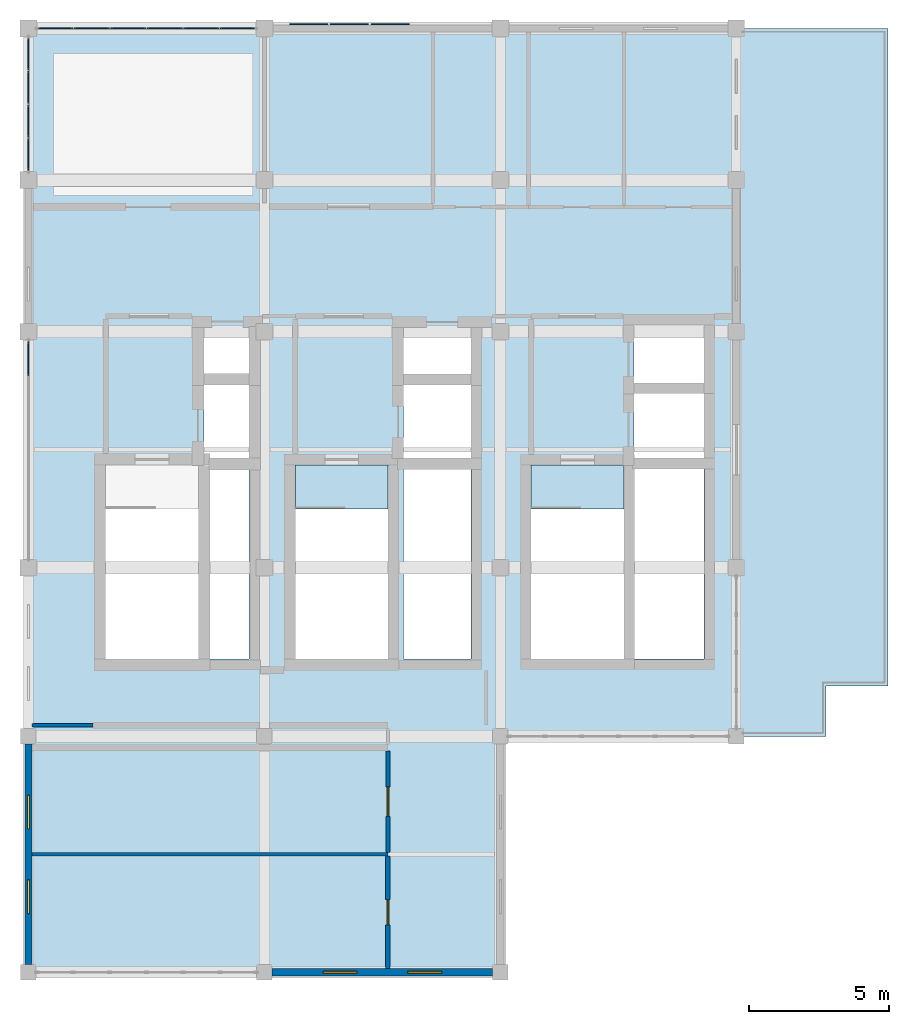
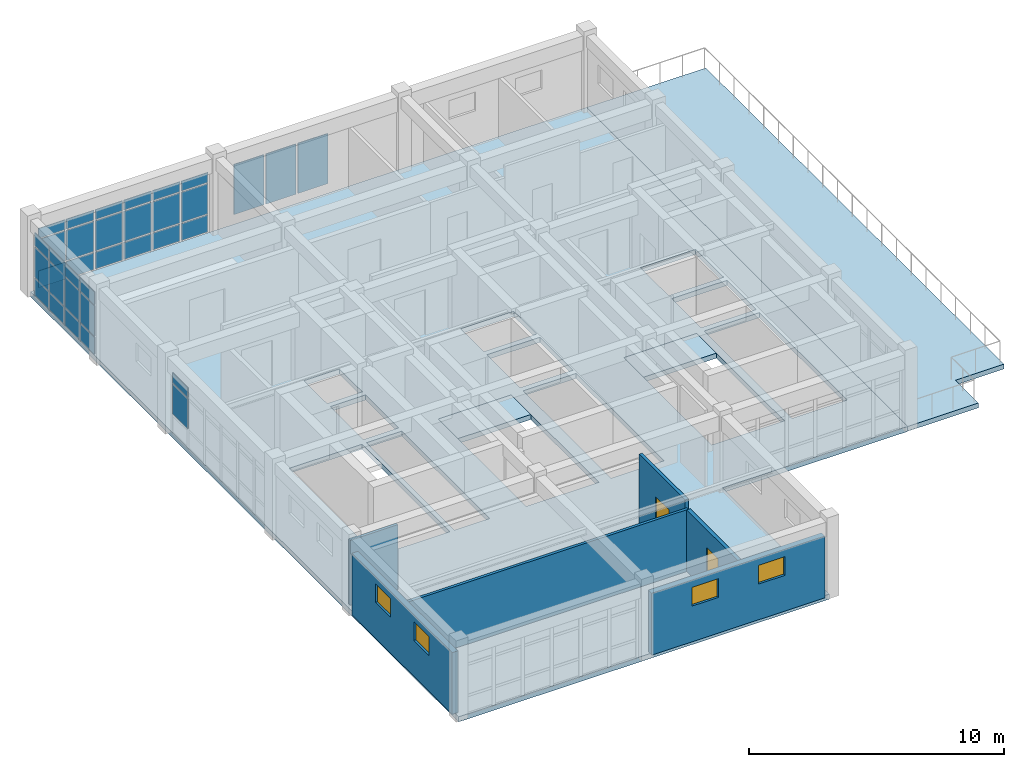
# One storey, part 13 of 17: 35 plates, 6 walls, 4 slabs, 4 windows, 2 doors, 6 openings, 3 elements without a shape of their own.
"""IFC4 building model written with IfcOpenShell, lengths in metres."""

import ifcopenshell
import ifcopenshell.guid

model = None  # the IFC model being written
_history = None  # IfcOwnerHistory: only IFC2X3 demands one
_inside = {}  # id of a spatial element -> (the spatial element, [elements in it])
_under = {}  # id of a project, library or spatial element -> (it, [spatial elements below it])
_declared = {}  # id of a project -> (the project, [libraries it declares])
_typed = {}  # id of a type object -> (the type object, [elements of that type])
_made_of = {}  # id of a material, layer set ... -> (it, [elements and type objects made of it])


def new_model(schema):
    """Start an empty IFC model of exactly this schema.

    Asked for "IFC4X3", IfcOpenShell would pick the latest addendum, in which some entities
    have other attributes; the version numbers below select the first issue.
    IFC2X3 requires an IfcOwnerHistory on every rooted entity: one is made here for all.
    """
    global model, _history
    if schema == "IFC4X3":
        model = ifcopenshell.file(schema_version=(4, 3, 0, 0))
    else:
        model = ifcopenshell.file(schema=schema)
    _inside.clear()
    _under.clear()
    _declared.clear()
    _typed.clear()
    _made_of.clear()
    _history = None
    if model.schema == "IFC2X3":
        org = make("IfcOrganization", Name="unknown")
        user = make(
            "IfcPersonAndOrganization",
            ThePerson=make("IfcPerson", FamilyName="unknown"),
            TheOrganization=org,
        )
        app = make(
            "IfcApplication",
            ApplicationDeveloper=org,
            Version="unknown",
            ApplicationFullName="unknown",
            ApplicationIdentifier="unknown",
        )
        _history = make(
            "IfcOwnerHistory",
            OwningUser=user,
            OwningApplication=app,
            ChangeAction="ADDED",
            CreationDate=0,
        )
    return model


def make(cls, **values):
    """One entity of the class cls with the attributes given. An attribute that is None is left unset."""
    return model.create_entity(
        cls, **{name: value for name, value in values.items() if value is not None}
    )


def rooted(cls, **values):
    """An entity with a GlobalId (a new one), such as an element, a storey or a relation."""
    return make(cls, GlobalId=ifcopenshell.guid.new(), OwnerHistory=_history, **values)


def si_unit(unit_type, name, prefix=None):
    """IfcSIUnit, for example si_unit("LENGTHUNIT", "METRE", prefix="MILLI")."""
    return make("IfcSIUnit", UnitType=unit_type, Prefix=prefix, Name=name)


def assignment(units):
    """IfcUnitAssignment: the units of a project."""
    return None if units is None else make("IfcUnitAssignment", Units=units)


def point(xyz):
    """IfcCartesianPoint."""
    return None if xyz is None else make("IfcCartesianPoint", Coordinates=xyz)


def direction(xyz):
    """IfcDirection."""
    return None if xyz is None else make("IfcDirection", DirectionRatios=xyz)


def frame(location, z_axis=None, x_axis=None):
    """IfcAxis2Placement3D, a coordinate frame: its origin and axes. An axis left out is left unset."""
    return make(
        "IfcAxis2Placement3D",
        Location=point(location),
        Axis=direction(z_axis),
        RefDirection=direction(x_axis),
    )


def frame_2d(location, x_axis=None):
    """IfcAxis2Placement2D, a coordinate frame in the plane: its origin and x axis."""
    return make(
        "IfcAxis2Placement2D", Location=point(location), RefDirection=direction(x_axis)
    )


def origin():
    """The frame at (0, 0, 0) with its axes left unset."""
    return frame((0.0, 0.0, 0.0))


def origin_2d():
    """The frame at (0, 0) in the plane with its x axis left unset."""
    return frame_2d((0.0, 0.0))


def place(relative_to, where):
    """IfcLocalPlacement: puts the frame where relative to a parent placement (None: the world)."""
    return make(
        "IfcLocalPlacement", PlacementRelTo=relative_to, RelativePlacement=where
    )


def context(
    kind, dimensions, precision=None, world=None, true_north=None, identifier=None
):
    """IfcGeometricRepresentationContext, for example the 3D "Model" context."""
    return make(
        "IfcGeometricRepresentationContext",
        ContextIdentifier=identifier,
        ContextType=kind,
        CoordinateSpaceDimension=dimensions,
        Precision=precision,
        WorldCoordinateSystem=world,
        TrueNorth=true_north,
    )


def subcontext(parent, identifier, kind, view, scale=None):
    """IfcGeometricRepresentationSubContext, for example "Body" below "Model"."""
    return make(
        "IfcGeometricRepresentationSubContext",
        ContextIdentifier=identifier,
        ContextType=kind,
        ParentContext=parent,
        TargetScale=scale,
        TargetView=view,
    )


def project(units=None, contexts=None):
    """IfcProject with its units and contexts."""
    return rooted(
        "IfcProject",
        Name="project",
        RepresentationContexts=contexts,
        UnitsInContext=assignment(units),
    )


def spatial(cls, under=None, at=None, **own):
    """A site, building, storey or space (cls), placed at a placement, below another one or the project."""
    s = rooted(cls, ObjectPlacement=at, **own)
    if under is not None:
        _under.setdefault(under.id(), (under, []))[1].append(s)
    return s


def polyline(points):
    """IfcPolyline through the points."""
    return make("IfcPolyline", Points=[point(p) for p in points])


def profile(cls, at=None, kind="AREA", **sizes):
    """A parametric profile (cls). Its sizes go by their IFC names, for example OverallWidth=200.0."""
    return make(cls, ProfileType=kind, Position=at, **sizes)


def rectangle(**sizes):
    """IfcRectangleProfileDef."""
    return profile("IfcRectangleProfileDef", **sizes)


def outline(outer, holes=None, kind="AREA"):
    """IfcArbitraryClosedProfileDef: a profile drawn as a closed curve; with holes, ...WithVoids."""
    if holes is None:
        return make("IfcArbitraryClosedProfileDef", ProfileType=kind, OuterCurve=outer)
    return make(
        "IfcArbitraryProfileDefWithVoids",
        ProfileType=kind,
        OuterCurve=outer,
        InnerCurves=holes,
    )


def extrude(swept, where, along, depth):
    """IfcExtrudedAreaSolid: the profile swept, set in the frame where, extruded along a direction by depth."""
    return make(
        "IfcExtrudedAreaSolid",
        SweptArea=swept,
        Position=where,
        ExtrudedDirection=direction(along),
        Depth=depth,
    )


def shape(context_of_items, identifier, shape_type, items):
    """IfcShapeRepresentation: the items that make up one representation, for example the "Body"."""
    return make(
        "IfcShapeRepresentation",
        ContextOfItems=context_of_items,
        RepresentationIdentifier=identifier,
        RepresentationType=shape_type,
        Items=items,
    )


def material(Name=None, Category=None):
    """IfcMaterial."""
    return make("IfcMaterial", Name=Name, Category=Category)


def layer(
    of_material, thickness, ventilated=None, Name=None, Category=None, Priority=None
):
    """IfcMaterialLayer: one layer of a wall or slab, of a material (None: an air gap)."""
    return make(
        "IfcMaterialLayer",
        Material=of_material,
        LayerThickness=thickness,
        IsVentilated=ventilated,
        Name=Name,
        Category=Category,
        Priority=Priority,
    )


def layer_set(layers, Name=None):
    """IfcMaterialLayerSet."""
    return make("IfcMaterialLayerSet", MaterialLayers=layers, LayerSetName=Name)


def made_of(thing, what):
    """Note that an element or type object is made of a material, layer set ...; save() writes the relation."""
    if what is not None:
        _made_of.setdefault(what.id(), (what, []))[1].append(thing)
    return thing


def type_object(cls, material=None, **own):
    """A type object (cls), such as IfcWallType, which elements share."""
    return made_of(rooted(cls, **own), material)


def element(
    cls,
    number,
    at=None,
    inside=None,
    cuts=None,
    type_object=None,
    material=None,
    context=None,
    identifier="Body",
    shape_type=None,
    held_by="IfcProductDefinitionShape",
    body=None,
    shapes=None,
    **own,
):
    """One element of the class cls, such as IfcWall. Its Tag is "e" and its number.

    at: its placement. inside: the storey or other place that contains it. cuts: it is an
    opening in that element (IfcRelVoidsElement). A single representation is given by context,
    identifier, shape_type and body (its items); several are given by shapes. held_by: the class
    of the entity that holds the representations. save() writes the other relations.
    """
    e = rooted(cls, Tag="e%d" % number, ObjectPlacement=at, **own)
    if body is not None:
        shapes = [shape(context, identifier, shape_type, body)]
    if shapes is not None:
        e.Representation = make(held_by, Representations=shapes)
    if inside is not None:
        _inside.setdefault(inside.id(), (inside, []))[1].append(e)
    if cuts is not None:
        rooted(
            "IfcRelVoidsElement", RelatingBuildingElement=cuts, RelatedOpeningElement=e
        )
    if type_object is not None:
        _typed.setdefault(type_object.id(), (type_object, []))[1].append(e)
    return made_of(e, material)


def fill(opening, filler):
    """IfcRelFillsElement: the door or window that sits in an opening."""
    return rooted(
        "IfcRelFillsElement",
        RelatingOpeningElement=opening,
        RelatedBuildingElement=filler,
    )


def aggregate(whole, parts):
    """IfcRelAggregates: a whole, such as a stair, and the parts it consists of."""
    return rooted("IfcRelAggregates", RelatingObject=whole, RelatedObjects=parts)


def save(model, path):
    """Write the relations noted so far, then the file.

    IfcRelAggregates (storeys below a building ...), IfcRelContainedInSpatialStructure (elements
    in a storey), IfcRelDefinesByType, IfcRelAssociatesMaterial and IfcRelDeclares: one each for
    every whole, place, type object, material and project.
    """
    for whole, parts in _under.values():
        aggregate(whole, parts)
    for where, things in _inside.values():
        rooted(
            "IfcRelContainedInSpatialStructure",
            RelatedElements=things,
            RelatingStructure=where,
        )
    for kind, things in _typed.values():
        rooted("IfcRelDefinesByType", RelatedObjects=things, RelatingType=kind)
    for what, things in _made_of.values():
        rooted("IfcRelAssociatesMaterial", RelatedObjects=things, RelatingMaterial=what)
    for by, libraries in _declared.values():
        rooted("IfcRelDeclares", RelatingContext=by, RelatedDefinitions=libraries)
    model.write(path)


model = new_model("IFC4")

# Units and contexts
model_context = context("Model", 3, precision=1e-05, world=origin(), true_north=direction((0.0, 1.0)))
body_context = subcontext(model_context, "Body", "Model", "MODEL_VIEW")
ifc_project = project(units=[si_unit("LENGTHUNIT", "METRE"), si_unit("AREAUNIT", "SQUARE_METRE"), si_unit("VOLUMEUNIT", "CUBIC_METRE"), si_unit("PLANEANGLEUNIT", "RADIAN"), si_unit("MASSUNIT", "GRAM", prefix="KILO")], contexts=[model_context])

# Site, building, storey
site_placement = place(None, origin())
site = spatial("IfcSite", under=ifc_project, at=site_placement, CompositionType="ELEMENT")
building_placement = place(site_placement, origin())
building = spatial("IfcBuilding", under=site, at=building_placement, Name="Krzemoval Escarpment Law Courts", CompositionType="ELEMENT")
storey_placement = place(building_placement, frame((0.0, 0.0, 42.0)))
storey = spatial("IfcBuildingStorey", under=building, at=storey_placement, Name="L09", CompositionType="ELEMENT", Elevation=42.0)

# Curtain wall, plates
ifc_material_1 = material(Name="Aluminium 6063-T6", Category="aluminium")
ifc_layer_1 = layer(ifc_material_1, 0.199951171875)
ifc_layer_set_1 = layer_set([ifc_layer_1], Name="Aluminium 6063-T6")
curtain_wall_type = type_object("IfcCurtainWallType", Name="CW-CRWN-3900", PredefinedType="USERDEFINED", material=ifc_layer_set_1)
curtain_wall_1_placement = place(storey_placement, origin())
curtain_wall_1 = element("IfcCurtainWall", 1, at=curtain_wall_1_placement, inside=storey, type_object=curtain_wall_type, Name="Unitised Curtain Wall FCW-L09-169", ObjectType="UNITISED_CURTAIN_WALL", PredefinedType="USERDEFINED")
ifc_material_2 = material(Name="Triple Glazing IGU", Category="glass")
ifc_layer_2 = layer(ifc_material_2, 0.035888671875)
ifc_layer_set_2 = layer_set([ifc_layer_2], Name="Triple Glazing IGU")
plate_type_1 = type_object("IfcPlateType", Name="CWP-GLZ-36", PredefinedType="CURTAIN_PANEL", material=ifc_layer_set_2)
plate_1_placement = place(storey_placement, frame((126.0, 107.034912109375, 0.929931640625), z_axis=(0.0, 0.0, 1.0), x_axis=(0.0, 1.0, 0.0)))
plate_1 = element("IfcPlate", 2, at=plate_1_placement, type_object=plate_type_1, Name="FCW-L09-169 panel 6.2", PredefinedType="CURTAIN_PANEL", context=body_context, shape_type="SweptSolid", body=[
    extrude(rectangle(XDim=1.2099609375, YDim=0.035888671875, at=origin_2d()), origin(), (0.0, 0.0, 1.0), 1.43994140625),
])
plate_2_placement = place(storey_placement, frame((126.0, 107.034912109375, 2.43017578125), z_axis=(0.0, 0.0, 1.0), x_axis=(0.0, 1.0, 0.0)))
plate_2 = element("IfcPlate", 3, at=plate_2_placement, type_object=plate_type_1, Name="FCW-L09-169 panel 6.3", PredefinedType="CURTAIN_PANEL", context=body_context, shape_type="SweptSolid", body=[
    extrude(rectangle(XDim=1.2099609375, YDim=0.035888671875, at=origin_2d()), origin(), (0.0, 0.0, 1.0), 0.469970703125),
])
aggregate(curtain_wall_1, [plate_1, plate_2])

curtain_wall_2_placement = place(storey_placement, origin())
curtain_wall_2 = element("IfcCurtainWall", 4, at=curtain_wall_2_placement, inside=storey, type_object=curtain_wall_type, Name="Unitised Curtain Wall FCW-L09-170", ObjectType="UNITISED_CURTAIN_WALL", PredefinedType="USERDEFINED")
plate_3_placement = place(storey_placement, frame((126.0, 114.31494140625, 0.06005859375), z_axis=(0.0, 0.0, 1.0), x_axis=(0.0, 1.0, 0.0)))
plate_3 = element("IfcPlate", 5, at=plate_3_placement, type_object=plate_type_1, Name="FCW-L09-170 panel 1.1", PredefinedType="CURTAIN_PANEL", context=body_context, shape_type="SweptSolid", body=[
    extrude(rectangle(XDim=1.110107421875, YDim=0.035888671875, at=origin_2d()), origin(), (0.0, 0.0, 1.0), 0.81005859375),
])
plate_4_placement = place(storey_placement, frame((126.0, 114.31494140625, 0.929931640625), z_axis=(0.0, 0.0, 1.0), x_axis=(0.0, 1.0, 0.0)))
plate_4 = element("IfcPlate", 6, at=plate_4_placement, type_object=plate_type_1, Name="FCW-L09-170 panel 1.2", PredefinedType="CURTAIN_PANEL", context=body_context, shape_type="SweptSolid", body=[
    extrude(rectangle(XDim=1.110107421875, YDim=0.035888671875, at=origin_2d()), origin(), (0.0, 0.0, 1.0), 1.43994140625),
])
plate_5_placement = place(storey_placement, frame((126.0, 114.31494140625, 2.429931640625), z_axis=(0.0, 0.0, 1.0), x_axis=(0.0, 1.0, 0.0)))
plate_5 = element("IfcPlate", 7, at=plate_5_placement, type_object=plate_type_1, Name="FCW-L09-170 panel 1.3", PredefinedType="CURTAIN_PANEL", context=body_context, shape_type="SweptSolid", body=[
    extrude(rectangle(XDim=1.110107421875, YDim=0.035888671875, at=origin_2d()), origin(), (0.0, 0.0, 1.0), 0.6201171875),
])
plate_6_placement = place(storey_placement, frame((126.0, 115.5, 0.06005859375), z_axis=(0.0, 0.0, 1.0), x_axis=(0.0, 1.0, 0.0)))
plate_6 = element("IfcPlate", 8, at=plate_6_placement, type_object=plate_type_1, Name="FCW-L09-170 panel 2.1", PredefinedType="CURTAIN_PANEL", context=body_context, shape_type="SweptSolid", body=[
    extrude(rectangle(XDim=1.139892578125, YDim=0.035888671875, at=origin_2d()), origin(), (0.0, 0.0, 1.0), 0.81005859375),
])
plate_7_placement = place(storey_placement, frame((126.0, 115.5, 0.929931640625), z_axis=(0.0, 0.0, 1.0), x_axis=(0.0, 1.0, 0.0)))
plate_7 = element("IfcPlate", 9, at=plate_7_placement, type_object=plate_type_1, Name="FCW-L09-170 panel 2.2", PredefinedType="CURTAIN_PANEL", context=body_context, shape_type="SweptSolid", body=[
    extrude(rectangle(XDim=1.139892578125, YDim=0.035888671875, at=origin_2d()), origin(), (0.0, 0.0, 1.0), 1.43994140625),
])
plate_8_placement = place(storey_placement, frame((126.0, 115.5, 2.429931640625), z_axis=(0.0, 0.0, 1.0), x_axis=(0.0, 1.0, 0.0)))
plate_8 = element("IfcPlate", 10, at=plate_8_placement, type_object=plate_type_1, Name="FCW-L09-170 panel 2.3", PredefinedType="CURTAIN_PANEL", context=body_context, shape_type="SweptSolid", body=[
    extrude(rectangle(XDim=1.139892578125, YDim=0.035888671875, at=origin_2d()), origin(), (0.0, 0.0, 1.0), 0.6201171875),
])
plate_9_placement = place(storey_placement, frame((126.0, 116.699951171875, 0.06005859375), z_axis=(0.0, 0.0, 1.0), x_axis=(0.0, 1.0, 0.0)))
plate_9 = element("IfcPlate", 11, at=plate_9_placement, type_object=plate_type_1, Name="FCW-L09-170 panel 3.1", PredefinedType="CURTAIN_PANEL", context=body_context, shape_type="SweptSolid", body=[
    extrude(rectangle(XDim=1.139892578125, YDim=0.035888671875, at=origin_2d()), origin(), (0.0, 0.0, 1.0), 0.81005859375),
])
plate_10_placement = place(storey_placement, frame((126.0, 116.699951171875, 0.929931640625), z_axis=(0.0, 0.0, 1.0), x_axis=(0.0, 1.0, 0.0)))
plate_10 = element("IfcPlate", 12, at=plate_10_placement, type_object=plate_type_1, Name="FCW-L09-170 panel 3.2", PredefinedType="CURTAIN_PANEL", context=body_context, shape_type="SweptSolid", body=[
    extrude(rectangle(XDim=1.139892578125, YDim=0.035888671875, at=origin_2d()), origin(), (0.0, 0.0, 1.0), 1.43994140625),
])
plate_11_placement = place(storey_placement, frame((126.0, 116.699951171875, 2.429931640625), z_axis=(0.0, 0.0, 1.0), x_axis=(0.0, 1.0, 0.0)))
plate_11 = element("IfcPlate", 13, at=plate_11_placement, type_object=plate_type_1, Name="FCW-L09-170 panel 3.3", PredefinedType="CURTAIN_PANEL", context=body_context, shape_type="SweptSolid", body=[
    extrude(rectangle(XDim=1.139892578125, YDim=0.035888671875, at=origin_2d()), origin(), (0.0, 0.0, 1.0), 0.6201171875),
])
plate_12_placement = place(storey_placement, frame((126.0, 117.885009765625, 0.06005859375), z_axis=(0.0, 0.0, 1.0), x_axis=(0.0, 1.0, 0.0)))
plate_12 = element("IfcPlate", 14, at=plate_12_placement, type_object=plate_type_1, Name="FCW-L09-170 panel 4.1", PredefinedType="CURTAIN_PANEL", context=body_context, shape_type="SweptSolid", body=[
    extrude(rectangle(XDim=1.110107421875, YDim=0.035888671875, at=origin_2d()), origin(), (0.0, 0.0, 1.0), 0.81005859375),
])
plate_13_placement = place(storey_placement, frame((126.0, 117.885009765625, 0.929931640625), z_axis=(0.0, 0.0, 1.0), x_axis=(0.0, 1.0, 0.0)))
plate_13 = element("IfcPlate", 15, at=plate_13_placement, type_object=plate_type_1, Name="FCW-L09-170 panel 4.2", PredefinedType="CURTAIN_PANEL", context=body_context, shape_type="SweptSolid", body=[
    extrude(rectangle(XDim=1.110107421875, YDim=0.035888671875, at=origin_2d()), origin(), (0.0, 0.0, 1.0), 1.43994140625),
])
plate_14_placement = place(storey_placement, frame((126.0, 117.885009765625, 2.429931640625), z_axis=(0.0, 0.0, 1.0), x_axis=(0.0, 1.0, 0.0)))
plate_14 = element("IfcPlate", 16, at=plate_14_placement, type_object=plate_type_1, Name="FCW-L09-170 panel 4.3", PredefinedType="CURTAIN_PANEL", context=body_context, shape_type="SweptSolid", body=[
    extrude(rectangle(XDim=1.110107421875, YDim=0.035888671875, at=origin_2d()), origin(), (0.0, 0.0, 1.0), 0.6201171875),
])
aggregate(curtain_wall_2, [plate_3, plate_4, plate_5, plate_6, plate_7, plate_8, plate_9, plate_10, plate_11, plate_12, plate_13, plate_14])

curtain_wall_3_placement = place(storey_placement, origin())
curtain_wall_3 = element("IfcCurtainWall", 17, at=curtain_wall_3_placement, inside=storey, type_object=curtain_wall_type, Name="Unitised Curtain Wall FCW-L09-171", ObjectType="UNITISED_CURTAIN_WALL", PredefinedType="USERDEFINED")
plate_15_placement = place(storey_placement, frame((126.965087890625, 118.800048828125, 0.06005859375), z_axis=(0.0, 0.0, 1.0), x_axis=(1.0, 0.0, 0.0)))
plate_15 = element("IfcPlate", 18, at=plate_15_placement, type_object=plate_type_1, Name="FCW-L09-171 panel 1.1", PredefinedType="CURTAIN_PANEL", context=body_context, shape_type="SweptSolid", body=[
    extrude(rectangle(XDim=1.2099609375, YDim=0.035888671875, at=origin_2d()), origin(), (0.0, 0.0, 1.0), 0.81005859375),
])
plate_16_placement = place(storey_placement, frame((126.965087890625, 118.800048828125, 0.929931640625), z_axis=(0.0, 0.0, 1.0), x_axis=(1.0, 0.0, 0.0)))
plate_16 = element("IfcPlate", 19, at=plate_16_placement, type_object=plate_type_1, Name="FCW-L09-171 panel 1.2", PredefinedType="CURTAIN_PANEL", context=body_context, shape_type="SweptSolid", body=[
    extrude(rectangle(XDim=1.2099609375, YDim=0.035888671875, at=origin_2d()), origin(), (0.0, 0.0, 1.0), 1.43994140625),
])
plate_17_placement = place(storey_placement, frame((126.965087890625, 118.800048828125, 2.43017578125), z_axis=(0.0, 0.0, 1.0), x_axis=(1.0, 0.0, 0.0)))
plate_17 = element("IfcPlate", 20, at=plate_17_placement, type_object=plate_type_1, Name="FCW-L09-171 panel 1.3", PredefinedType="CURTAIN_PANEL", context=body_context, shape_type="SweptSolid", body=[
    extrude(rectangle(XDim=1.2099609375, YDim=0.035888671875, at=origin_2d()), origin(), (0.0, 0.0, 1.0), 0.469970703125),
])
plate_18_placement = place(storey_placement, frame((128.25, 118.800048828125, 0.06005859375), z_axis=(0.0, 0.0, 1.0), x_axis=(1.0, 0.0, 0.0)))
plate_18 = element("IfcPlate", 21, at=plate_18_placement, type_object=plate_type_1, Name="FCW-L09-171 panel 2.1", PredefinedType="CURTAIN_PANEL", context=body_context, shape_type="SweptSolid", body=[
    extrude(rectangle(XDim=1.239990234375, YDim=0.035888671875, at=origin_2d()), origin(), (0.0, 0.0, 1.0), 0.81005859375),
])
plate_19_placement = place(storey_placement, frame((128.25, 118.800048828125, 0.929931640625), z_axis=(0.0, 0.0, 1.0), x_axis=(1.0, 0.0, 0.0)))
plate_19 = element("IfcPlate", 22, at=plate_19_placement, type_object=plate_type_1, Name="FCW-L09-171 panel 2.2", PredefinedType="CURTAIN_PANEL", context=body_context, shape_type="SweptSolid", body=[
    extrude(rectangle(XDim=1.239990234375, YDim=0.035888671875, at=origin_2d()), origin(), (0.0, 0.0, 1.0), 1.43994140625),
])
plate_20_placement = place(storey_placement, frame((128.25, 118.800048828125, 2.43017578125), z_axis=(0.0, 0.0, 1.0), x_axis=(1.0, 0.0, 0.0)))
plate_20 = element("IfcPlate", 23, at=plate_20_placement, type_object=plate_type_1, Name="FCW-L09-171 panel 2.3", PredefinedType="CURTAIN_PANEL", context=body_context, shape_type="SweptSolid", body=[
    extrude(rectangle(XDim=1.239990234375, YDim=0.035888671875, at=origin_2d()), origin(), (0.0, 0.0, 1.0), 0.469970703125),
])
plate_21_placement = place(storey_placement, frame((129.550048828125, 118.800048828125, 0.06005859375), z_axis=(0.0, 0.0, 1.0), x_axis=(1.0, 0.0, 0.0)))
plate_21 = element("IfcPlate", 24, at=plate_21_placement, type_object=plate_type_1, Name="FCW-L09-171 panel 3.1", PredefinedType="CURTAIN_PANEL", context=body_context, shape_type="SweptSolid", body=[
    extrude(rectangle(XDim=1.239990234375, YDim=0.035888671875, at=origin_2d()), origin(), (0.0, 0.0, 1.0), 0.81005859375),
])
plate_22_placement = place(storey_placement, frame((129.550048828125, 118.800048828125, 0.929931640625), z_axis=(0.0, 0.0, 1.0), x_axis=(1.0, 0.0, 0.0)))
plate_22 = element("IfcPlate", 25, at=plate_22_placement, type_object=plate_type_1, Name="FCW-L09-171 panel 3.2", PredefinedType="CURTAIN_PANEL", context=body_context, shape_type="SweptSolid", body=[
    extrude(rectangle(XDim=1.239990234375, YDim=0.035888671875, at=origin_2d()), origin(), (0.0, 0.0, 1.0), 1.43994140625),
])
plate_23_placement = place(storey_placement, frame((129.550048828125, 118.800048828125, 2.43017578125), z_axis=(0.0, 0.0, 1.0), x_axis=(1.0, 0.0, 0.0)))
plate_23 = element("IfcPlate", 26, at=plate_23_placement, type_object=plate_type_1, Name="FCW-L09-171 panel 3.3", PredefinedType="CURTAIN_PANEL", context=body_context, shape_type="SweptSolid", body=[
    extrude(rectangle(XDim=1.239990234375, YDim=0.035888671875, at=origin_2d()), origin(), (0.0, 0.0, 1.0), 0.469970703125),
])
plate_24_placement = place(storey_placement, frame((130.85009765625, 118.800048828125, 0.06005859375), z_axis=(0.0, 0.0, 1.0), x_axis=(1.0, 0.0, 0.0)))
plate_24 = element("IfcPlate", 27, at=plate_24_placement, type_object=plate_type_1, Name="FCW-L09-171 panel 4.1", PredefinedType="CURTAIN_PANEL", context=body_context, shape_type="SweptSolid", body=[
    extrude(rectangle(XDim=1.239990234375, YDim=0.035888671875, at=origin_2d()), origin(), (0.0, 0.0, 1.0), 0.81005859375),
])
plate_25_placement = place(storey_placement, frame((130.85009765625, 118.800048828125, 0.929931640625), z_axis=(0.0, 0.0, 1.0), x_axis=(1.0, 0.0, 0.0)))
plate_25 = element("IfcPlate", 28, at=plate_25_placement, type_object=plate_type_1, Name="FCW-L09-171 panel 4.2", PredefinedType="CURTAIN_PANEL", context=body_context, shape_type="SweptSolid", body=[
    extrude(rectangle(XDim=1.239990234375, YDim=0.035888671875, at=origin_2d()), origin(), (0.0, 0.0, 1.0), 1.43994140625),
])
plate_26_placement = place(storey_placement, frame((130.85009765625, 118.800048828125, 2.43017578125), z_axis=(0.0, 0.0, 1.0), x_axis=(1.0, 0.0, 0.0)))
plate_26 = element("IfcPlate", 29, at=plate_26_placement, type_object=plate_type_1, Name="FCW-L09-171 panel 4.3", PredefinedType="CURTAIN_PANEL", context=body_context, shape_type="SweptSolid", body=[
    extrude(rectangle(XDim=1.239990234375, YDim=0.035888671875, at=origin_2d()), origin(), (0.0, 0.0, 1.0), 0.469970703125),
])
plate_27_placement = place(storey_placement, frame((132.14990234375, 118.800048828125, 0.06005859375), z_axis=(0.0, 0.0, 1.0), x_axis=(1.0, 0.0, 0.0)))
plate_27 = element("IfcPlate", 30, at=plate_27_placement, type_object=plate_type_1, Name="FCW-L09-171 panel 5.1", PredefinedType="CURTAIN_PANEL", context=body_context, shape_type="SweptSolid", body=[
    extrude(rectangle(XDim=1.239990234375, YDim=0.035888671875, at=origin_2d()), origin(), (0.0, 0.0, 1.0), 0.81005859375),
])
plate_28_placement = place(storey_placement, frame((132.14990234375, 118.800048828125, 0.929931640625), z_axis=(0.0, 0.0, 1.0), x_axis=(1.0, 0.0, 0.0)))
plate_28 = element("IfcPlate", 31, at=plate_28_placement, type_object=plate_type_1, Name="FCW-L09-171 panel 5.2", PredefinedType="CURTAIN_PANEL", context=body_context, shape_type="SweptSolid", body=[
    extrude(rectangle(XDim=1.239990234375, YDim=0.035888671875, at=origin_2d()), origin(), (0.0, 0.0, 1.0), 1.43994140625),
])
plate_29_placement = place(storey_placement, frame((132.14990234375, 118.800048828125, 2.43017578125), z_axis=(0.0, 0.0, 1.0), x_axis=(1.0, 0.0, 0.0)))
plate_29 = element("IfcPlate", 32, at=plate_29_placement, type_object=plate_type_1, Name="FCW-L09-171 panel 5.3", PredefinedType="CURTAIN_PANEL", context=body_context, shape_type="SweptSolid", body=[
    extrude(rectangle(XDim=1.239990234375, YDim=0.035888671875, at=origin_2d()), origin(), (0.0, 0.0, 1.0), 0.469970703125),
])
plate_30_placement = place(storey_placement, frame((133.43505859375, 118.800048828125, 0.06005859375), z_axis=(0.0, 0.0, 1.0), x_axis=(1.0, 0.0, 0.0)))
plate_30 = element("IfcPlate", 33, at=plate_30_placement, type_object=plate_type_1, Name="FCW-L09-171 panel 6.1", PredefinedType="CURTAIN_PANEL", context=body_context, shape_type="SweptSolid", body=[
    extrude(rectangle(XDim=1.2099609375, YDim=0.035888671875, at=origin_2d()), origin(), (0.0, 0.0, 1.0), 0.81005859375),
])
plate_31_placement = place(storey_placement, frame((133.43505859375, 118.800048828125, 0.929931640625), z_axis=(0.0, 0.0, 1.0), x_axis=(1.0, 0.0, 0.0)))
plate_31 = element("IfcPlate", 34, at=plate_31_placement, type_object=plate_type_1, Name="FCW-L09-171 panel 6.2", PredefinedType="CURTAIN_PANEL", context=body_context, shape_type="SweptSolid", body=[
    extrude(rectangle(XDim=1.2099609375, YDim=0.035888671875, at=origin_2d()), origin(), (0.0, 0.0, 1.0), 1.43994140625),
])
plate_32_placement = place(storey_placement, frame((133.43505859375, 118.800048828125, 2.43017578125), z_axis=(0.0, 0.0, 1.0), x_axis=(1.0, 0.0, 0.0)))
plate_32 = element("IfcPlate", 35, at=plate_32_placement, type_object=plate_type_1, Name="FCW-L09-171 panel 6.3", PredefinedType="CURTAIN_PANEL", context=body_context, shape_type="SweptSolid", body=[
    extrude(rectangle(XDim=1.2099609375, YDim=0.035888671875, at=origin_2d()), origin(), (0.0, 0.0, 1.0), 0.469970703125),
])
aggregate(curtain_wall_3, [plate_15, plate_16, plate_17, plate_18, plate_19, plate_20, plate_21, plate_22, plate_23, plate_24, plate_25, plate_26, plate_27, plate_28, plate_29, plate_30, plate_31, plate_32])

# Plates
ifc_material_3 = material(Name="Perforated Weathering Aluminium Acoustic Plant Screen", Category="aluminium")
ifc_layer_3 = layer(ifc_material_3, 2.39990234375)
ifc_layer_set_3 = layer_set([ifc_layer_3], Name="Perforated Weathering Aluminium Acoustic Plant Screen")
plate_type_2 = type_object("IfcPlateType", Name="PLT-SCR-12", PredefinedType="USERDEFINED", material=ifc_layer_set_3)
for number, where, z_axis, x_axis, name in (
    (36, (135.97509765625, 118.945068359375, 0.35009765625), (0.0, 0.0, 1.0), (1.0, 0.0, 0.0), "Crown Plant Acoustic Louvre Screen SCR-01"),
    (37, (137.425048828125, 118.945068359375, 0.35009765625), (0.0, 0.0, 1.0), (1.0, 0.0, 0.0), "Crown Plant Acoustic Louvre Screen SCR-02"),
    (38, (138.875, 118.945068359375, 0.35009765625), (0.0, 0.0, 1.0), (1.0, 0.0, 0.0), "Crown Plant Acoustic Louvre Screen SCR-03"),
):
    element("IfcPlate", number, at=place(storey_placement, frame(where, z_axis=z_axis, x_axis=x_axis)), inside=storey, type_object=plate_type_2, Name=name, ObjectType="ACOUSTIC_PLANT_SCREEN", PredefinedType="USERDEFINED", context=body_context, shape_type="SweptSolid", body=[
        extrude(rectangle(XDim=1.35009765625, YDim=0.0400390625, at=origin_2d()), origin(), (0.0, 0.0, 1.0), 2.39990234375),
    ])

# Slabs
ifc_material_4 = material(Name="Concrete C40/50", Category="concrete")
ifc_layer_4 = layer(ifc_material_4, 0.239990234375)
ifc_layer_set_4 = layer_set([ifc_layer_4], Name="Concrete C40/50")
slab_type_1 = type_object("IfcSlabType", Name="SL-FLR-240", PredefinedType="FLOOR", material=ifc_layer_set_4)
slab_1_placement = place(storey_placement, frame((0.0, 0.0, -0.239990234375)))
element("IfcSlab", 39, at=slab_1_placement, inside=storey, type_object=slab_type_1, Name="Floor Slab SL-L09-V5-049", PredefinedType="FLOOR", context=body_context, shape_type="SweptSolid", body=[
    extrude(outline(polyline([(142.800048828125, 93.60009765625), (142.800048828125, 85.199951171875), (126.0, 85.199951171875), (126.0, 118.800048828125), (151.199951171875, 118.800048828125), (151.199951171875, 93.60009765625), (142.800048828125, 93.60009765625)]), holes=[polyline([(133.85009765625, 103.5), (133.85009765625, 106.10009765625), (132.25, 106.10009765625), (132.25, 103.5), (133.85009765625, 103.5)]), polyline([(132.25, 106.35009765625), (133.85009765625, 106.35009765625), (133.85009765625, 108.14990234375), (132.25, 108.14990234375), (132.25, 106.35009765625)]), polyline([(132.25, 103.25), (132.25, 96.35009765625), (133.85009765625, 96.35009765625), (133.85009765625, 103.25), (132.25, 103.25)]), polyline([(141.75, 106.10009765625), (139.35009765625, 106.10009765625), (139.35009765625, 103.5), (141.75, 103.5), (141.75, 106.10009765625)]), polyline([(141.75, 106.35009765625), (141.75, 108.14990234375), (139.35009765625, 108.14990234375), (139.35009765625, 106.35009765625), (141.75, 106.35009765625)]), polyline([(139.35009765625, 96.35009765625), (141.75, 96.35009765625), (141.75, 103.25), (139.35009765625, 103.25), (139.35009765625, 96.35009765625)]), polyline([(147.550048828125, 105.800048828125), (147.550048828125, 103.5), (150.050048828125, 103.5), (150.050048828125, 105.800048828125), (147.550048828125, 105.800048828125)]), polyline([(150.050048828125, 108.25), (147.550048828125, 108.25), (147.550048828125, 106.050048828125), (150.050048828125, 106.050048828125), (150.050048828125, 108.25)]), polyline([(150.050048828125, 96.35009765625), (150.050048828125, 103.25), (147.550048828125, 103.25), (147.550048828125, 96.35009765625), (150.050048828125, 96.35009765625)]), polyline([(128.75, 96.35009765625), (132.050048828125, 96.35009765625), (132.050048828125, 103.25), (128.75, 103.25), (128.75, 96.35009765625)]), polyline([(135.5, 103.25), (135.5, 96.35009765625), (138.800048828125, 96.35009765625), (138.800048828125, 103.25), (135.5, 103.25)]), polyline([(147.199951171875, 103.25), (143.89990234375, 103.25), (143.89990234375, 96.35009765625), (147.199951171875, 96.35009765625), (147.199951171875, 103.25)])]), origin(), (0.0, 0.0, 1.0), 0.239990234375),
])
slab_2_placement = place(storey_placement, frame((0.0, 0.0, -0.239990234375)))
element("IfcSlab", 40, at=slab_2_placement, inside=storey, type_object=slab_type_1, Name="Core Floor Landing Slab SL-ST2-L09-FL", PredefinedType="FLOOR", context=body_context, shape_type="SweptSolid", body=[
    extrude(outline(polyline([(135.5, 103.25), (135.5, 101.699951171875), (138.800048828125, 101.699951171875), (138.800048828125, 103.25), (135.5, 103.25)])), origin(), (0.0, 0.0, 1.0), 0.239990234375),
])
slab_3_placement = place(storey_placement, frame((0.0, 0.0, -0.239990234375)))
element("IfcSlab", 41, at=slab_3_placement, inside=storey, type_object=slab_type_1, Name="Core Floor Landing Slab SL-ST3-L09-FL", PredefinedType="FLOOR", context=body_context, shape_type="SweptSolid", body=[
    extrude(outline(polyline([(143.89990234375, 103.25), (143.89990234375, 101.699951171875), (147.199951171875, 101.699951171875), (147.199951171875, 103.25), (143.89990234375, 103.25)])), origin(), (0.0, 0.0, 1.0), 0.239990234375),
])
ifc_material_5 = material(Name="Concrete C40/50", Category="concrete")
ifc_layer_5 = layer(ifc_material_5, 0.22998046875)
ifc_layer_set_5 = layer_set([ifc_layer_5], Name="Concrete C40/50")
slab_type_2 = type_object("IfcSlabType", Name="SL-TER-320", PredefinedType="ROOF", material=ifc_layer_set_5)
slab_4_placement = place(storey_placement, frame((0.0, 0.0, -0.22998046875)))
element("IfcSlab", 42, at=slab_4_placement, inside=storey, type_object=slab_type_2, Name="Planted Roof Terrace Step 6", PredefinedType="ROOF", context=body_context, shape_type="SweptSolid", body=[
    extrude(outline(polyline([(151.199951171875, 118.800048828125), (156.60009765625, 118.800048828125), (156.60009765625, 95.39990234375), (154.39990234375, 95.39990234375), (154.39990234375, 93.60009765625), (151.199951171875, 93.60009765625), (151.199951171875, 118.800048828125)])), origin(), (0.0, 0.0, 1.0), 0.22998046875),
])

# Wall, openings, windows
ifc_material_6 = material(Name="Precast concrete C40/50", Category="concrete")
ifc_layer_6 = layer(ifc_material_6, 0.260009765625)
ifc_layer_set_6 = layer_set([ifc_layer_6], Name="Precast concrete C40/50")
wall_type_1 = type_object("IfcWallType", Name="WL-EXT-260", PredefinedType="SOLIDWALL", material=ifc_layer_set_6)
wall_1_placement = place(storey_placement, frame((142.52490234375, 85.199951171875, 0.0), z_axis=(0.0, 0.0, 1.0), x_axis=(-1.0, 0.0, 0.0)))
wall_1 = element("IfcWall", 43, at=wall_1_placement, inside=storey, type_object=wall_type_1, Name="Exterior Wall EW-L09-0478", PredefinedType="SOLIDWALL", context=body_context, shape_type="SweptSolid", body=[
    extrude(rectangle(XDim=7.849853515625, YDim=0.260009765625, at=frame_2d((3.9248046875, 0.0))), origin(), (0.0, 0.0, 1.0), 2.9599609375),
])
opening_1_placement = place(wall_1_placement, frame((1.81689453125, 0.0, 1.7099609375)))
opening_1 = element("IfcOpeningElement", 44, at=opening_1_placement, cuts=wall_1, Name="Opening WN-L09-0560", PredefinedType="OPENING", context=body_context, shape_type="SweptSolid", body=[
    extrude(rectangle(XDim=1.199951171875, YDim=0.89990234375, at=frame_2d((0.60009765625, 0.449951171875))), frame((0.0, 0.145, 0.0), z_axis=(0.0, -1.0, 0.0), x_axis=(1.0, 0.0, 0.0)), (0.0, 0.0, 1.0), 0.29001),
])
opening_2_placement = place(wall_1_placement, frame((4.8330078125, 0.0, 1.7099609375)))
opening_2 = element("IfcOpeningElement", 45, at=opening_2_placement, cuts=wall_1, Name="Opening WN-L09-0561", PredefinedType="OPENING", context=body_context, shape_type="SweptSolid", body=[
    extrude(rectangle(XDim=1.199951171875, YDim=0.89990234375, at=frame_2d((0.60009765625, 0.449951171875))), frame((0.0, 0.145, 0.0), z_axis=(0.0, -1.0, 0.0), x_axis=(1.0, 0.0, 0.0)), (0.0, 0.0, 1.0), 0.29001),
])
ifc_material_7 = material(Name="Thermally Broken Aluminium Frame with Triple Low-E Acoustic Glass", Category="aluminium")
window_type = type_object("IfcWindowType", Name="WN-1200x900", PartitioningType="SINGLE_PANEL", PredefinedType="WINDOW", material=ifc_material_7)
window_1_placement = place(opening_1_placement, origin())
window_1 = element("IfcWindow", 46, at=window_1_placement, inside=storey, type_object=window_type, Name="Facade Window WN-L09-0560", OverallHeight=0.89990234375, OverallWidth=1.199951171875, PartitioningType="SINGLE_PANEL", PredefinedType="WINDOW", context=body_context, shape_type="SweptSolid", body=[
    extrude(rectangle(XDim=1.199951171875, YDim=0.89990234375, at=frame_2d((0.60009765625, 0.449951171875))), frame((0.0, 0.030029296875, 0.0), z_axis=(0.0, -1.0, 0.0), x_axis=(1.0, 0.0, 0.0)), (0.0, 0.0, 1.0), 0.06005859375),
])
fill(opening_1, window_1)
window_2_placement = place(opening_2_placement, origin())
window_2 = element("IfcWindow", 47, at=window_2_placement, inside=storey, type_object=window_type, Name="Facade Window WN-L09-0561", OverallHeight=0.89990234375, OverallWidth=1.199951171875, PartitioningType="SINGLE_PANEL", PredefinedType="WINDOW", context=body_context, shape_type="SweptSolid", body=[
    extrude(rectangle(XDim=1.199951171875, YDim=0.89990234375, at=frame_2d((0.60009765625, 0.449951171875))), frame((0.0, 0.030029296875, 0.0), z_axis=(0.0, -1.0, 0.0), x_axis=(1.0, 0.0, 0.0)), (0.0, 0.0, 1.0), 0.06005859375),
])
fill(opening_2, window_2)

wall_2_placement = place(storey_placement, frame((126.0, 85.47509765625, 0.0), z_axis=(0.0, 0.0, 1.0), x_axis=(0.0, 1.0, 0.0)))
wall_2 = element("IfcWall", 48, at=wall_2_placement, inside=storey, type_object=wall_type_1, Name="Exterior Wall EW-L09-0479", PredefinedType="SOLIDWALL", context=body_context, shape_type="SweptSolid", body=[
    extrude(rectangle(XDim=7.849853515625, YDim=0.260009765625, at=frame_2d((3.9248046875, 0.0))), origin(), (0.0, 0.0, 1.0), 2.9599609375),
])
opening_3_placement = place(wall_2_placement, frame((1.81689453125, 0.0, 1.7099609375)))
opening_3 = element("IfcOpeningElement", 49, at=opening_3_placement, cuts=wall_2, Name="Opening WN-L09-0562", PredefinedType="OPENING", context=body_context, shape_type="SweptSolid", body=[
    extrude(rectangle(XDim=1.199951171875, YDim=0.89990234375, at=frame_2d((0.60009765625, 0.449951171875))), frame((0.0, 0.145, 0.0), z_axis=(0.0, -1.0, 0.0), x_axis=(1.0, 0.0, 0.0)), (0.0, 0.0, 1.0), 0.29001),
])
opening_4_placement = place(wall_2_placement, frame((4.8330078125, 0.0, 1.7099609375)))
opening_4 = element("IfcOpeningElement", 50, at=opening_4_placement, cuts=wall_2, Name="Opening WN-L09-0563", PredefinedType="OPENING", context=body_context, shape_type="SweptSolid", body=[
    extrude(rectangle(XDim=1.199951171875, YDim=0.89990234375, at=frame_2d((0.60009765625, 0.449951171875))), frame((0.0, 0.145, 0.0), z_axis=(0.0, -1.0, 0.0), x_axis=(1.0, 0.0, 0.0)), (0.0, 0.0, 1.0), 0.29001),
])
window_3_placement = place(opening_3_placement, origin())
window_3 = element("IfcWindow", 51, at=window_3_placement, inside=storey, type_object=window_type, Name="Facade Window WN-L09-0562", OverallHeight=0.89990234375, OverallWidth=1.199951171875, PartitioningType="SINGLE_PANEL", PredefinedType="WINDOW", context=body_context, shape_type="SweptSolid", body=[
    extrude(rectangle(XDim=1.199951171875, YDim=0.89990234375, at=frame_2d((0.60009765625, 0.449951171875))), frame((0.0, 0.030029296875, 0.0), z_axis=(0.0, -1.0, 0.0), x_axis=(1.0, 0.0, 0.0)), (0.0, 0.0, 1.0), 0.06005859375),
])
fill(opening_3, window_3)
window_4_placement = place(opening_4_placement, origin())
window_4 = element("IfcWindow", 52, at=window_4_placement, inside=storey, type_object=window_type, Name="Facade Window WN-L09-0563", OverallHeight=0.89990234375, OverallWidth=1.199951171875, PartitioningType="SINGLE_PANEL", PredefinedType="WINDOW", context=body_context, shape_type="SweptSolid", body=[
    extrude(rectangle(XDim=1.199951171875, YDim=0.89990234375, at=frame_2d((0.60009765625, 0.449951171875))), frame((0.0, 0.030029296875, 0.0), z_axis=(0.0, -1.0, 0.0), x_axis=(1.0, 0.0, 0.0)), (0.0, 0.0, 1.0), 0.06005859375),
])
fill(opening_4, window_4)

# Walls
ifc_material_8 = material(Name="Standard Metal-Stud Gypsum Partition", Category="gypsum")
ifc_layer_7 = layer(ifc_material_8, 0.125)
ifc_layer_set_7 = layer_set([ifc_layer_7], Name="Standard Metal-Stud Gypsum Partition")
wall_type_2 = type_object("IfcWallType", Name="WL-PRT-125", PredefinedType="PARTITIONING", material=ifc_layer_set_7)
wall_3_placement = place(storey_placement, frame((126.132080078125, 89.39990234375, 0.0), z_axis=(0.0, 0.0, 1.0), x_axis=(1.0, 0.0, 0.0)))
element("IfcWall", 53, at=wall_3_placement, inside=storey, type_object=wall_type_2, Name="Interior Partition PW-L09-0741", PredefinedType="PARTITIONING", context=body_context, shape_type="SweptSolid", body=[
    extrude(rectangle(XDim=12.66796875, YDim=0.125, at=frame_2d((6.333984375, 0.0))), origin(), (0.0, 0.0, 1.0), 2.9599609375),
])
wall_4_placement = place(storey_placement, frame((126.132080078125, 94.0, 0.0), z_axis=(0.0, 0.0, 1.0), x_axis=(1.0, 0.0, 0.0)))
element("IfcWall", 54, at=wall_4_placement, inside=storey, type_object=wall_type_2, Name="Interior Partition PW-L09-0743", PredefinedType="PARTITIONING", context=body_context, shape_type="SweptSolid", body=[
    extrude(rectangle(XDim=2.16796875, YDim=0.125, at=frame_2d((1.083984375, 0.0))), origin(), (0.0, 0.0, 1.0), 3.110107421875),
])

# Wall, opening, door
ifc_material_9 = material(Name="Sanitary Moisture-Resistant Partition", Category="gypsum")
ifc_layer_8 = layer(ifc_material_9, 0.139892578125)
ifc_layer_set_8 = layer_set([ifc_layer_8], Name="Sanitary Moisture-Resistant Partition")
wall_type_3 = type_object("IfcWallType", Name="WL-PRT-140", PredefinedType="PARTITIONING", material=ifc_layer_set_8)
wall_5_placement = place(storey_placement, frame((138.800048828125, 89.465087890625, 0.0), z_axis=(0.0, 0.0, 1.0), x_axis=(0.0, 1.0, 0.0)))
wall_5 = element("IfcWall", 55, at=wall_5_placement, inside=storey, type_object=wall_type_3, Name="Interior Partition PW-L09-0761", PredefinedType="PARTITIONING", context=body_context, shape_type="SweptSolid", body=[
    extrude(rectangle(XDim=3.617919921875, YDim=0.139892578125, at=frame_2d((1.80908203125, 0.0))), origin(), (0.0, 0.0, 1.0), 3.360107421875),
])
opening_5_placement = place(wall_5_placement, frame((1.283935546875, 0.0, 0.0)))
opening_5 = element("IfcOpeningElement", 56, at=opening_5_placement, cuts=wall_5, Name="Opening D-L09-0265", PredefinedType="OPENING", context=body_context, shape_type="SweptSolid", body=[
    extrude(rectangle(XDim=1.050048828125, YDim=2.10009765625, at=frame_2d((0.52490234375, 1.050048828125))), frame((0.0, 0.08495, 0.0), z_axis=(0.0, -1.0, 0.0), x_axis=(1.0, 0.0, 0.0)), (0.0, 0.0, 1.0), 0.16989),
])
ifc_material_10 = material(Name="Engineered Solid-Core Oak Acoustic Timber", Category="wood")
door_type_1 = type_object("IfcDoorType", Name="DR-INT-1050x2100", OperationType="SINGLE_SWING_LEFT", PredefinedType="DOOR", material=ifc_material_10)
door_1_placement = place(opening_5_placement, origin())
door_1 = element("IfcDoor", 57, at=door_1_placement, inside=storey, type_object=door_type_1, Name="Room Door D-L09-0265", OperationType="SINGLE_SWING_RIGHT", OverallHeight=2.10009765625, OverallWidth=1.050048828125, PredefinedType="DOOR", context=body_context, shape_type="SweptSolid", body=[
    extrude(rectangle(XDim=1.050048828125, YDim=2.10009765625, at=frame_2d((0.52490234375, 1.050048828125))), frame((0.0, 0.02490234375, 0.0), z_axis=(0.0, -1.0, 0.0), x_axis=(1.0, 0.0, 0.0)), (0.0, 0.0, 1.0), 0.050048828125),
])
fill(opening_5, door_1)

ifc_material_11 = material(Name="Jury Suite Partition Assembly", Category="gypsum")
ifc_layer_9 = layer(ifc_material_11, 0.159912109375)
ifc_layer_set_9 = layer_set([ifc_layer_9], Name="Jury Suite Partition Assembly")
wall_type_4 = type_object("IfcWallType", Name="WL-PRT-160", PredefinedType="PARTITIONING", material=ifc_layer_set_9)
wall_6_placement = place(storey_placement, frame((138.800048828125, 85.33203125, 0.0), z_axis=(0.0, 0.0, 1.0), x_axis=(0.0, 1.0, 0.0)))
wall_6 = element("IfcWall", 58, at=wall_6_placement, inside=storey, type_object=wall_type_4, Name="Interior Partition PW-L09-0760", PredefinedType="PARTITIONING", context=body_context, shape_type="SweptSolid", body=[
    extrude(rectangle(XDim=4.00390625, YDim=0.159912109375, at=frame_2d((2.001953125, 0.0))), origin(), (0.0, 0.0, 1.0), 2.9599609375),
])
opening_6_placement = place(wall_6_placement, frame((1.552001953125, 0.0, 0.0)))
opening_6 = element("IfcOpeningElement", 59, at=opening_6_placement, cuts=wall_6, Name="Opening D-L09-0264", PredefinedType="OPENING", context=body_context, shape_type="SweptSolid", body=[
    extrude(rectangle(XDim=0.89990234375, YDim=2.10009765625, at=frame_2d((0.449951171875, 1.050048828125))), frame((0.0, 0.09496, 0.0), z_axis=(0.0, -1.0, 0.0), x_axis=(1.0, 0.0, 0.0)), (0.0, 0.0, 1.0), 0.18991),
])
ifc_material_12 = material(Name="Engineered Solid-Core Oak Acoustic Timber", Category="wood")
door_type_2 = type_object("IfcDoorType", Name="DR-INT-900x2100", OperationType="SINGLE_SWING_LEFT", PredefinedType="DOOR", material=ifc_material_12)
door_2_placement = place(opening_6_placement, origin())
door_2 = element("IfcDoor", 60, at=door_2_placement, inside=storey, type_object=door_type_2, Name="Room Door D-L09-0264", OperationType="SINGLE_SWING_LEFT", OverallHeight=2.10009765625, OverallWidth=0.89990234375, PredefinedType="DOOR", context=body_context, shape_type="SweptSolid", body=[
    extrude(rectangle(XDim=0.89990234375, YDim=2.10009765625, at=frame_2d((0.449951171875, 1.050048828125))), frame((0.0, 0.02490234375, 0.0), z_axis=(0.0, -1.0, 0.0), x_axis=(1.0, 0.0, 0.0)), (0.0, 0.0, 1.0), 0.050048828125),
])
fill(opening_6, door_2)

save(model, "model.ifc")
